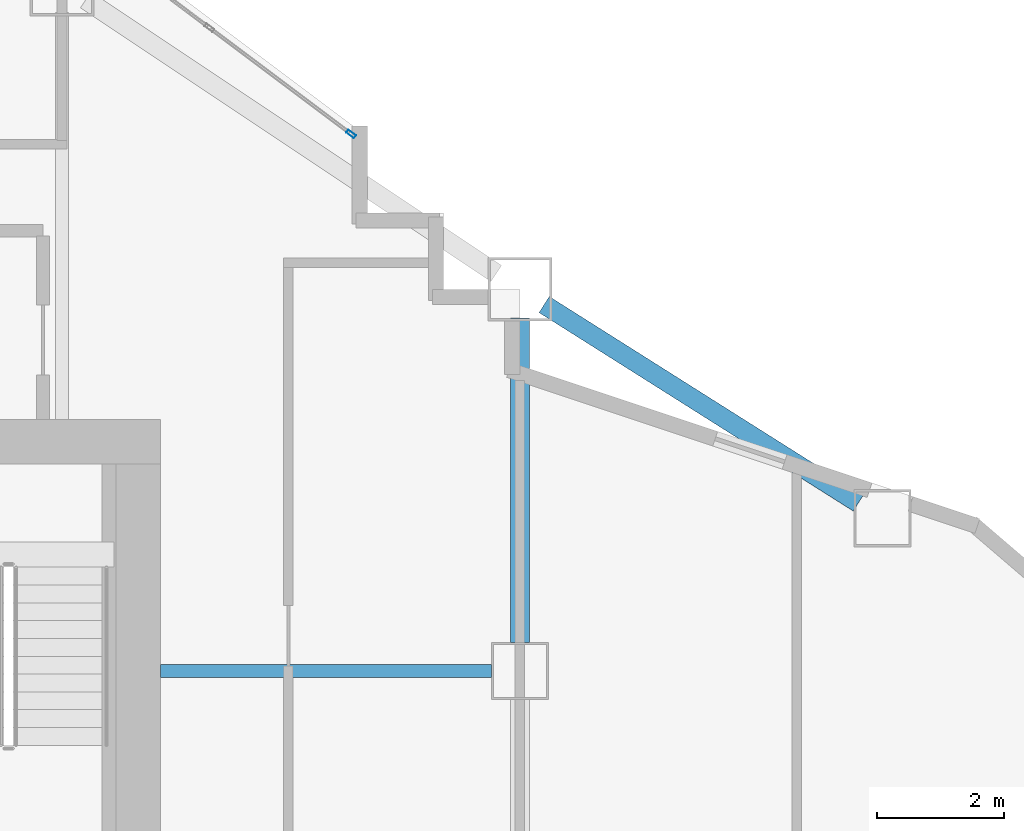
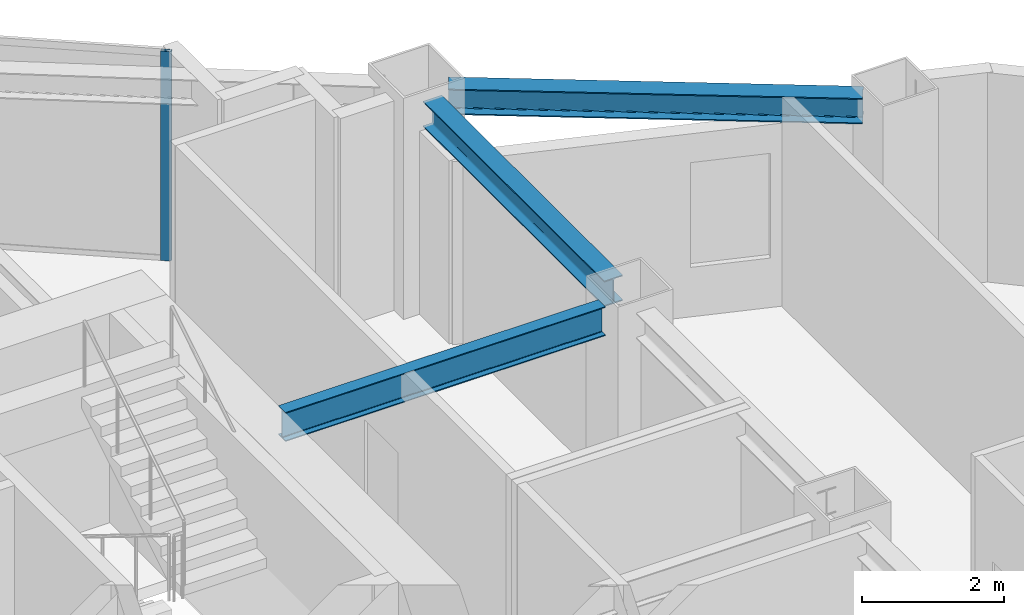
# One storey, part 4 of 13: 3 beams, 1 member, 1 element without a shape of its own.
"""IFC4 building model written with IfcOpenShell, lengths in metres."""

from ifc_helpers import new_model, si_unit, direction, frame, origin, origin_2d, place, context, subcontext, project, spatial, hollow_rectangle, i_section, extrude, material, layer, layer_set, material_profile, profile_set, type_object, element, aggregate, save


model = new_model("IFC4")

# Units and contexts
model_context = context("Model", 3, precision=1e-05, world=origin(), true_north=direction((0.0, 1.0)))
body_context = subcontext(model_context, "Body", "Model", "MODEL_VIEW")
ifc_project = project(units=[si_unit("LENGTHUNIT", "METRE"), si_unit("AREAUNIT", "SQUARE_METRE"), si_unit("VOLUMEUNIT", "CUBIC_METRE"), si_unit("PLANEANGLEUNIT", "RADIAN"), si_unit("MASSUNIT", "GRAM", prefix="KILO")], contexts=[model_context])

# Site, building, storey
site_placement = place(None, origin())
site = spatial("IfcSite", under=ifc_project, at=site_placement, CompositionType="ELEMENT")
building_placement = place(site_placement, origin())
building = spatial("IfcBuilding", under=site, at=building_placement, Name="Haolan Belvedere Tower", CompositionType="ELEMENT")
storey_placement = place(building_placement, frame((0.0, 0.0, 128.800048828125)))
storey = spatial("IfcBuildingStorey", under=building, at=storey_placement, Name="L32", CompositionType="ELEMENT", Elevation=128.800048828125)

# Beams
ifc_material_1 = material(Name="Steel Q355B", Category="steel")
ifc_material_profile_1 = material_profile(ifc_material_1, i_section(OverallWidth=0.300048828125, OverallDepth=0.43994140625, WebThickness=0.010986328125, FlangeThickness=0.01806640625, FilletRadius=0.02392578125, at=origin_2d()), Name="Steel Q355B")
ifc_profile_set_1 = profile_set([ifc_material_profile_1], Name="Steel Q355B")
beam_type_1 = type_object("IfcBeamType", Name="BM-HM440x300x11x18", PredefinedType="SPANDREL", material=ifc_profile_set_1)
beam_1_placement = place(storey_placement, frame((52.800048828125, 40.050048828125, 3.3798828125), z_axis=(0.0, 1.0, 0.0), x_axis=(-1.0, 0.0, 0.0)))
element("IfcBeam", 1, at=beam_1_placement, inside=storey, type_object=beam_type_1, Name="L32 spandrel girder TC-T3-E2-MC-T3-NE", PredefinedType="SPANDREL", context=body_context, shape_type="SweptSolid", body=[
    extrude(i_section(OverallWidth=0.300048828125, OverallDepth=0.43994140625, WebThickness=0.010986328125, FlangeThickness=0.01806640625, FilletRadius=0.02392578125, at=origin_2d()), origin(), (0.0, 0.0, 1.0), 5.099853515625),
])
beam_2_placement = place(storey_placement, frame((53.180419921875, 45.359619140625, 3.3798828125), z_axis=(0.845497840649, -0.533978839898, 0.0), x_axis=(0.533978839898, 0.845497840649, 0.0)))
element("IfcBeam", 2, at=beam_2_placement, inside=storey, type_object=beam_type_1, Name="L32 spandrel girder MC-T3-NE-TC-T4-N1", PredefinedType="SPANDREL", context=body_context, shape_type="SweptSolid", body=[
    extrude(i_section(OverallWidth=0.300048828125, OverallDepth=0.43994140625, WebThickness=0.010986328125, FlangeThickness=0.01806640625, FilletRadius=0.02392578125, at=origin_2d()), origin(), (0.0, 0.0, 1.0), 5.841796875),
])
ifc_material_profile_2 = material_profile(ifc_material_1, i_section(OverallWidth=0.199951171875, OverallDepth=0.5, WebThickness=0.010009765625, FlangeThickness=0.01611328125, FilletRadius=0.02001953125, at=origin_2d()), Name="Steel Q355B")
ifc_profile_set_2 = profile_set([ifc_material_profile_2], Name="Steel Q355B")
beam_type_2 = type_object("IfcBeamType", Name="BM-HN500x200x10x16", PredefinedType="BEAM", material=ifc_profile_set_2)
beam_3_placement = place(storey_placement, frame((52.35009765625, 39.60009765625, 3.349853515625), z_axis=(-1.0, 0.0, 0.0), x_axis=(0.0, -1.0, 0.0)))
element("IfcBeam", 3, at=beam_3_placement, inside=storey, type_object=beam_type_2, Name="L32 core tie beam from TC-T3-E2", PredefinedType="BEAM", context=body_context, shape_type="SweptSolid", body=[
    extrude(i_section(OverallWidth=0.199951171875, OverallDepth=0.5, WebThickness=0.010009765625, FlangeThickness=0.01611328125, FilletRadius=0.02001953125, at=origin_2d()), origin(), (0.0, 0.0, 1.0), 5.2001953125),
])

# Curtain wall, member
ifc_material_2 = material(Name="Anodised champagne-silver aluminium 6063-T6 and Low-E glass", Category="aluminium")
ifc_layer = layer(ifc_material_2, 0.155029296875, Name="Anodised champagne-silver aluminium 6063-T6 and Low-E glass")
ifc_layer_set = layer_set([ifc_layer], Name="Anodised champagne-silver aluminium 6063-T6 and Low-E glass")
curtain_wall_type = type_object("IfcCurtainWallType", Name="CW-SYS-03", PredefinedType="NOTDEFINED", material=ifc_layer_set)
curtain_wall_placement = place(storey_placement, origin())
curtain_wall = element("IfcCurtainWall", 4, at=curtain_wall_placement, inside=storey, type_object=curtain_wall_type, Name="L32 CW-SYS-03 ribbon curtain wall 26.1", PredefinedType="NOTDEFINED")
ifc_material_3 = material(Name="Anodised aluminium 6063-T6", Category="aluminium")
ifc_material_profile_3 = material_profile(ifc_material_3, hollow_rectangle(XDim=0.05810546875, YDim=0.155029296875, WallThickness=0.00390625, at=origin_2d()), Name="Anodised aluminium 6063-T6")
ifc_profile_set_3 = profile_set([ifc_material_profile_3], Name="Anodised aluminium 6063-T6")
member_type = type_object("IfcMemberType", Name="CW-SYS-03-MUL", PredefinedType="MULLION", material=ifc_profile_set_3)
member_placement = place(storey_placement, frame((50.144775390625, 48.04150390625, 0.0), z_axis=(0.0, 0.0, 1.0), x_axis=(-0.599994316874, -0.800004262313, 0.0)))
member = element("IfcMember", 5, at=member_placement, type_object=member_type, Name="CW-03 mullion 1", PredefinedType="MULLION", context=body_context, shape_type="SweptSolid", body=[
    extrude(hollow_rectangle(XDim=0.05810546875, YDim=0.155029296875, WallThickness=0.00390625, at=origin_2d()), origin(), (0.0, 0.0, 1.0), 3.599853515625),
])
aggregate(curtain_wall, [member])

save(model, "model.ifc")
